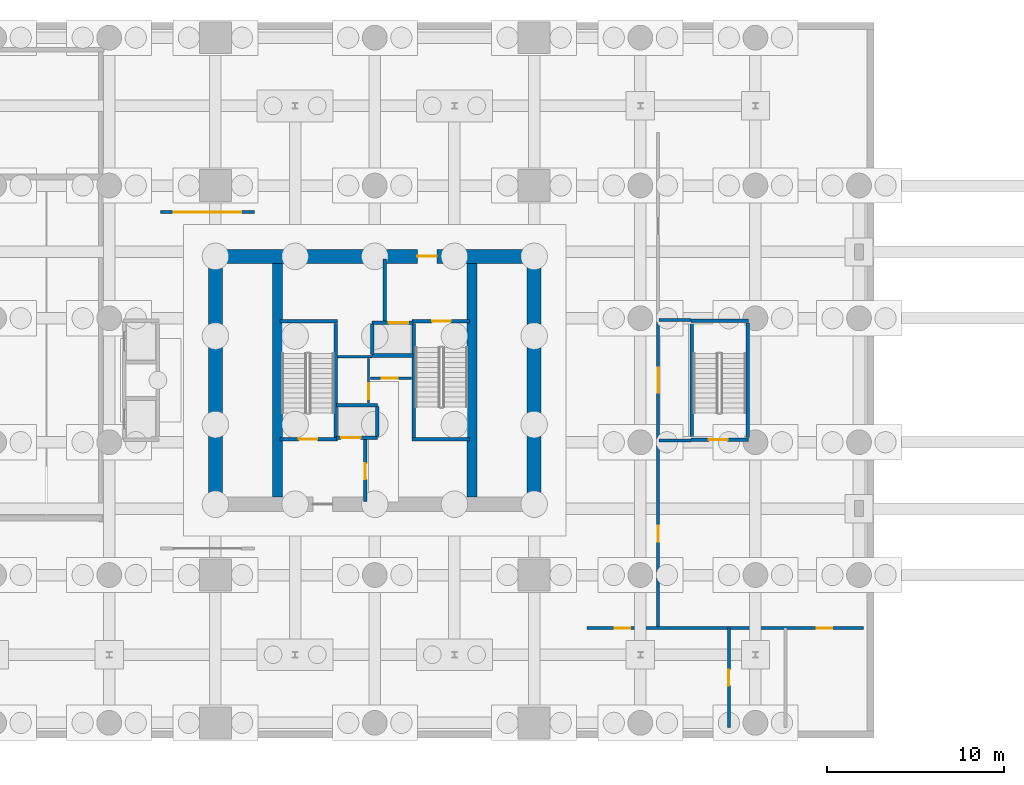
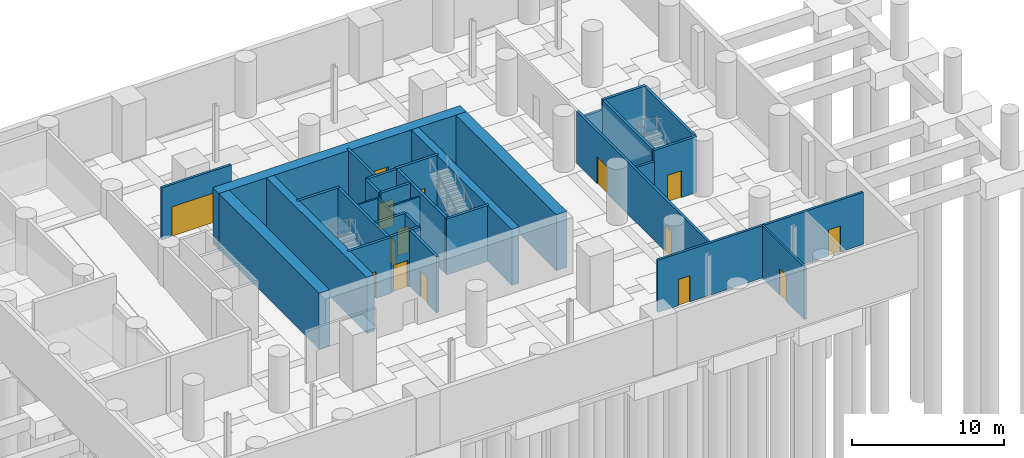
# One storey, part 9 of 12: 32 walls, 15 doors, 15 openings.
"""IFC4 building model written with IfcOpenShell, lengths in metres."""

from ifc_helpers import new_model, si_unit, direction, frame, frame_2d, origin, place, context, subcontext, project, spatial, rectangle, extrude, material, layer, layer_set, type_object, element, fill, save


model = new_model("IFC4")

# Units and contexts
model_context = context("Model", 3, precision=1e-05, world=origin(), true_north=direction((0.0, 1.0)))
body_context = subcontext(model_context, "Body", "Model", "MODEL_VIEW")
ifc_project = project(units=[si_unit("LENGTHUNIT", "METRE"), si_unit("AREAUNIT", "SQUARE_METRE"), si_unit("VOLUMEUNIT", "CUBIC_METRE"), si_unit("PLANEANGLEUNIT", "RADIAN"), si_unit("MASSUNIT", "GRAM", prefix="KILO")], contexts=[model_context])

# Site, building, storey
site_placement = place(None, origin())
site = spatial("IfcSite", under=ifc_project, at=site_placement, CompositionType="ELEMENT")
building_placement = place(site_placement, origin())
building = spatial("IfcBuilding", under=site, at=building_placement, Name="Veldorim Arch Residences", CompositionType="ELEMENT")
storey_placement = place(building_placement, frame((0.0, 0.0, -9.0)))
storey = spatial("IfcBuildingStorey", under=building, at=storey_placement, Name="B2", CompositionType="ELEMENT", Elevation=-9.0)

# Wall, opening, door
ifc_material_1 = material(Name="Acoustic Gypsum Board", Category="gypsum")
ifc_layer_1 = layer(ifc_material_1, 0.125, Name="Acoustic Stud Room Partition Wall 125")
ifc_layer_set_1 = layer_set([ifc_layer_1], Name="Acoustic Gypsum Board")
wall_type_1 = type_object("IfcWallType", Name="Acoustic Stud Room Partition Wall 125", PredefinedType="PARTITIONING", material=ifc_layer_set_1)
wall_1_placement = place(storey_placement, frame((31.64990234375, 22.719970703125, 0.0), z_axis=(0.0, 0.0, 1.0), x_axis=(0.0, 1.0, 0.0)))
wall_1 = element("IfcWall", 1, at=wall_1_placement, inside=storey, type_object=wall_type_1, Name="B2 interior wall WL-CA-B2-1", PredefinedType="PARTITIONING", context=body_context, shape_type="SweptSolid", body=[
    extrude(rectangle(XDim=2.52001953125, YDim=0.125, at=frame_2d((1.260009765625, 0.0))), origin(), (0.0, 0.0, 1.0), 4.195068359375),
])
opening_1_placement = place(wall_1_placement, frame((0.2099609375, 0.0, 0.0)))
opening_1 = element("IfcOpeningElement", 2, at=opening_1_placement, cuts=wall_1, Name="Opening DR-SVC", PredefinedType="OPENING", context=body_context, shape_type="SweptSolid", body=[
    extrude(rectangle(XDim=0.89990234375, YDim=2.10009765625, at=frame_2d((0.449951171875, 1.050048828125))), frame((0.0, 0.072509765625, 0.0), z_axis=(0.0, -1.0, 0.0), x_axis=(1.0, 0.0, 0.0)), (0.0, 0.0, 1.0), 0.14501953125),
])
ifc_material_2 = material(Name="Fire-Rated Steel", Category="steel")
door_type_1 = type_object("IfcDoorType", Name="Riser, Shelter & Plant Room Rated Steel Door 900x2100", OperationType="SINGLE_SWING_LEFT", PredefinedType="DOOR", material=ifc_material_2)
door_1_placement = place(opening_1_placement, origin())
door_1 = element("IfcDoor", 3, at=door_1_placement, inside=storey, type_object=door_type_1, Name="B2 interior door DR-B2-CA1", OperationType="SINGLE_SWING_LEFT", OverallHeight=2.10009765625, OverallWidth=0.89990234375, PredefinedType="DOOR", context=body_context, shape_type="SweptSolid", body=[
    extrude(rectangle(XDim=0.89990234375, YDim=2.10009765625, at=frame_2d((0.449951171875, 1.050048828125))), frame((0.0, 0.02490234375, 0.0), z_axis=(0.0, -1.0, 0.0), x_axis=(1.0, 0.0, 0.0)), (0.0, 0.0, 1.0), 0.050048828125),
])
fill(opening_1, door_1)

wall_2_placement = place(storey_placement, frame((31.760009765625, 24.1201171875, 0.0), z_axis=(0.0, 0.0, 1.0), x_axis=(1.0, 0.0, 0.0)))
wall_2 = element("IfcWall", 4, at=wall_2_placement, inside=storey, type_object=wall_type_1, Name="B2 interior wall WL-CA-B2-2", PredefinedType="PARTITIONING", context=body_context, shape_type="SweptSolid", body=[
    extrude(rectangle(XDim=2.320068359375, YDim=0.125, at=frame_2d((1.16015625, 0.0))), origin(), (0.0, 0.0, 1.0), 4.195068359375),
])
opening_2_placement = place(wall_2_placement, frame((0.639892578125, 0.0, 0.0)))
opening_2 = element("IfcOpeningElement", 5, at=opening_2_placement, cuts=wall_2, Name="Opening DR-SVC", PredefinedType="OPENING", context=body_context, shape_type="SweptSolid", body=[
    extrude(rectangle(XDim=0.89990234375, YDim=2.10009765625, at=frame_2d((0.449951171875, 1.050048828125))), frame((0.0, 0.072509765625, 0.0), z_axis=(0.0, -1.0, 0.0), x_axis=(1.0, 0.0, 0.0)), (0.0, 0.0, 1.0), 0.14501953125),
])
door_2_placement = place(opening_2_placement, origin())
door_2 = element("IfcDoor", 6, at=door_2_placement, inside=storey, type_object=door_type_1, Name="B2 interior door DR-B2-CA2", OperationType="SINGLE_SWING_RIGHT", OverallHeight=2.10009765625, OverallWidth=0.89990234375, PredefinedType="DOOR", context=body_context, shape_type="SweptSolid", body=[
    extrude(rectangle(XDim=0.89990234375, YDim=2.10009765625, at=frame_2d((0.449951171875, 1.050048828125))), frame((0.0, 0.02490234375, 0.0), z_axis=(0.0, -1.0, 0.0), x_axis=(1.0, 0.0, 0.0)), (0.0, 0.0, 1.0), 0.050048828125),
])
fill(opening_2, door_2)

# Wall
wall_3_placement = place(storey_placement, frame((29.889892578125, 25.330078125, 0.0), z_axis=(0.0, 0.0, 1.0), x_axis=(1.0, 0.0, 0.0)))
element("IfcWall", 7, at=wall_3_placement, inside=storey, type_object=wall_type_1, Name="B2 interior wall WL-CA-B2-N", PredefinedType="PARTITIONING", context=body_context, shape_type="SweptSolid", body=[
    extrude(rectangle(XDim=1.940185546875, YDim=0.125, at=frame_2d((0.97021484375, 0.0))), origin(), (0.0, 0.0, 1.0), 4.195068359375),
])

# Wall, opening, door
ifc_material_3 = material(Name="Lightweight Masonry Block & Gypsum", Category="masonry")
ifc_layer_2 = layer(ifc_material_3, 0.179931640625, Name="Compartment & Corridor Fire-Rated Party Wall 180")
ifc_layer_set_2 = layer_set([ifc_layer_2], Name="Lightweight Masonry Block & Gypsum")
wall_type_2 = type_object("IfcWallType", Name="Compartment & Corridor Fire-Rated Party Wall 180", PredefinedType="PARTITIONING", material=ifc_layer_set_2)
wall_4_placement = place(storey_placement, frame((19.89990234375, 33.5, 0.0), z_axis=(0.0, 0.0, 1.0), x_axis=(1.0, 0.0, 0.0)))
wall_4 = element("IfcWall", 8, at=wall_4_placement, inside=storey, type_object=wall_type_2, Name="B2 interior wall WL-BSM-GATE-B2-2", PredefinedType="PARTITIONING", context=body_context, shape_type="SweptSolid", body=[
    extrude(rectangle(XDim=5.300048828125, YDim=0.179931640625, at=frame_2d((2.64990234375, 0.0))), origin(), (0.0, 0.0, 1.0), 4.195068359375),
])
opening_3_placement = place(wall_4_placement, frame((0.75, 0.0, 0.0)))
opening_3 = element("IfcOpeningElement", 9, at=opening_3_placement, cuts=wall_4, Name="Opening VG-INT", PredefinedType="OPENING", context=body_context, shape_type="SweptSolid", body=[
    extrude(rectangle(XDim=3.800048828125, YDim=2.39990234375, at=frame_2d((1.89990234375, 1.199951171875))), frame((0.0, 0.099853515625, 0.0), z_axis=(0.0, -1.0, 0.0), x_axis=(1.0, 0.0, 0.0)), (0.0, 0.0, 1.0), 0.199951171875),
])
ifc_material_4 = material(Name="Galvanised Fire Steel", Category="steel")
door_type_2 = type_object("IfcDoorType", Name="Basement Zone Fire-Shutter Gate 3800x2400", OperationType="ROLLINGUP", PredefinedType="GATE", material=ifc_material_4)
door_3_placement = place(opening_3_placement, origin())
door_3 = element("IfcDoor", 10, at=door_3_placement, inside=storey, type_object=door_type_2, Name="B2 interior door VG-B2-02", OperationType="ROLLINGUP", OverallHeight=2.39990234375, OverallWidth=3.800048828125, PredefinedType="GATE", context=body_context, shape_type="SweptSolid", body=[
    extrude(rectangle(XDim=3.800048828125, YDim=2.39990234375, at=frame_2d((1.89990234375, 1.199951171875))), frame((0.0, 0.02490234375, 0.0), z_axis=(0.0, -1.0, 0.0), x_axis=(1.0, 0.0, 0.0)), (0.0, 0.0, 1.0), 0.050048828125),
])
fill(opening_3, door_3)

# Wall, openings, doors
wall_5_placement = place(storey_placement, frame((59.60009765625, 10.0, 0.0), z_axis=(0.0, 0.0, 1.0), x_axis=(-1.0, 0.0, 0.0)))
wall_5 = element("IfcWall", 11, at=wall_5_placement, inside=storey, type_object=wall_type_2, Name="B2 interior wall WL-BSM-B2-001", PredefinedType="PARTITIONING", context=body_context, shape_type="SweptSolid", body=[
    extrude(rectangle(XDim=15.6201171875, YDim=0.179931640625, at=frame_2d((7.81005859375, 0.0))), origin(), (0.0, 0.0, 1.0), 4.195068359375),
])
opening_4_placement = place(wall_5_placement, frame((13.159912109375, 0.0, 0.0)))
opening_4 = element("IfcOpeningElement", 12, at=opening_4_placement, cuts=wall_5, Name="Opening DR-SVC", PredefinedType="OPENING", context=body_context, shape_type="SweptSolid", body=[
    extrude(rectangle(XDim=0.89990234375, YDim=2.10009765625, at=frame_2d((0.449951171875, 1.050048828125))), frame((0.0, 0.099853515625, 0.0), z_axis=(0.0, -1.0, 0.0), x_axis=(1.0, 0.0, 0.0)), (0.0, 0.0, 1.0), 0.199951171875),
])
opening_5_placement = place(wall_5_placement, frame((1.75, 0.0, 0.0)))
opening_5 = element("IfcOpeningElement", 13, at=opening_5_placement, cuts=wall_5, Name="Opening DR-SVC", PredefinedType="OPENING", context=body_context, shape_type="SweptSolid", body=[
    extrude(rectangle(XDim=0.89990234375, YDim=2.10009765625, at=frame_2d((0.449951171875, 1.050048828125))), frame((0.0, 0.099853515625, 0.0), z_axis=(0.0, -1.0, 0.0), x_axis=(1.0, 0.0, 0.0)), (0.0, 0.0, 1.0), 0.199951171875),
])
door_4_placement = place(opening_4_placement, origin())
door_4 = element("IfcDoor", 14, at=door_4_placement, inside=storey, type_object=door_type_1, Name="B2 interior door DR-BSM-B2-001", OperationType="SINGLE_SWING_LEFT", OverallHeight=2.10009765625, OverallWidth=0.89990234375, PredefinedType="DOOR", context=body_context, shape_type="SweptSolid", body=[
    extrude(rectangle(XDim=0.89990234375, YDim=2.10009765625, at=frame_2d((0.449951171875, 1.050048828125))), frame((0.0, 0.02490234375, 0.0), z_axis=(0.0, -1.0, 0.0), x_axis=(1.0, 0.0, 0.0)), (0.0, 0.0, 1.0), 0.050048828125),
])
fill(opening_4, door_4)
door_5_placement = place(opening_5_placement, origin())
door_5 = element("IfcDoor", 15, at=door_5_placement, inside=storey, type_object=door_type_1, Name="B2 interior door DR-BSM-B2-003", OperationType="SINGLE_SWING_LEFT", OverallHeight=2.10009765625, OverallWidth=0.89990234375, PredefinedType="DOOR", context=body_context, shape_type="SweptSolid", body=[
    extrude(rectangle(XDim=0.89990234375, YDim=2.10009765625, at=frame_2d((0.449951171875, 1.050048828125))), frame((0.0, 0.02490234375, 0.0), z_axis=(0.0, -1.0, 0.0), x_axis=(1.0, 0.0, 0.0)), (0.0, 0.0, 1.0), 0.050048828125),
])
fill(opening_5, door_5)

wall_6_placement = place(storey_placement, frame((48.0, 27.419921875, 0.0), z_axis=(0.0, 0.0, 1.0), x_axis=(0.0, -1.0, 0.0)))
wall_6 = element("IfcWall", 16, at=wall_6_placement, inside=storey, type_object=wall_type_2, Name="B2 interior wall WL-BSM-B2-002", PredefinedType="PARTITIONING", context=body_context, shape_type="SweptSolid", body=[
    extrude(rectangle(XDim=17.35986328125, YDim=0.179931640625, at=frame_2d((8.679931640625, 0.0))), origin(), (0.0, 0.0, 1.0), 4.195068359375),
])
opening_6_placement = place(wall_6_placement, frame((11.6298828125, 0.0, 0.0)))
opening_6 = element("IfcOpeningElement", 17, at=opening_6_placement, cuts=wall_6, Name="Opening DR-SVC", PredefinedType="OPENING", context=body_context, shape_type="SweptSolid", body=[
    extrude(rectangle(XDim=0.89990234375, YDim=2.10009765625, at=frame_2d((0.449951171875, 1.050048828125))), frame((0.0, 0.099853515625, 0.0), z_axis=(0.0, -1.0, 0.0), x_axis=(1.0, 0.0, 0.0)), (0.0, 0.0, 1.0), 0.199951171875),
])
opening_7_placement = place(wall_6_placement, frame((2.719970703125, 0.0, 0.0)))
opening_7 = element("IfcOpeningElement", 18, at=opening_7_placement, cuts=wall_6, Name="Opening DR-LBY", PredefinedType="OPENING", context=body_context, shape_type="SweptSolid", body=[
    extrude(rectangle(XDim=1.39990234375, YDim=2.14990234375, at=frame_2d((0.699951171875, 1.074951171875))), frame((0.0, 0.099853515625, 0.0), z_axis=(0.0, -1.0, 0.0), x_axis=(1.0, 0.0, 0.0)), (0.0, 0.0, 1.0), 0.199951171875),
])
ifc_material_5 = material(Name="Aluminium & Fire Glass", Category="aluminium")
door_type_3 = type_object("IfcDoorType", Name="Lobby Double-Leaf Smoke-Control Door 1400x2150", OperationType="SINGLE_SWING_LEFT", PredefinedType="DOOR", material=ifc_material_5)
door_6_placement = place(opening_7_placement, origin())
door_6 = element("IfcDoor", 19, at=door_6_placement, inside=storey, type_object=door_type_3, Name="B2 interior door DR-BSM-B2-LBY-06", OperationType="DOUBLE_DOOR_SINGLE_SWING", OverallHeight=2.14990234375, OverallWidth=1.39990234375, PredefinedType="DOOR", context=body_context, shape_type="SweptSolid", body=[
    extrude(rectangle(XDim=1.39990234375, YDim=2.14990234375, at=frame_2d((0.699951171875, 1.074951171875))), frame((0.0, 0.02490234375, 0.0), z_axis=(0.0, -1.0, 0.0), x_axis=(1.0, 0.0, 0.0)), (0.0, 0.0, 1.0), 0.050048828125),
])
fill(opening_7, door_6)
door_7_placement = place(opening_6_placement, origin())
door_7 = element("IfcDoor", 20, at=door_7_placement, inside=storey, type_object=door_type_1, Name="B2 interior door DR-BSM-B2-004", OperationType="SINGLE_SWING_RIGHT", OverallHeight=2.10009765625, OverallWidth=0.89990234375, PredefinedType="DOOR", context=body_context, shape_type="SweptSolid", body=[
    extrude(rectangle(XDim=0.89990234375, YDim=2.10009765625, at=frame_2d((0.449951171875, 1.050048828125))), frame((0.0, 0.02490234375, 0.0), z_axis=(0.0, -1.0, 0.0), x_axis=(1.0, 0.0, 0.0)), (0.0, 0.0, 1.0), 0.050048828125),
])
fill(opening_6, door_7)

# Walls
for number, where, z_axis, x_axis, name in (
    (21, (48.06005859375, 20.60009765625, 0.0), (0.0, 0.0, 1.0), (1.0, 0.0, 0.0), "B2 interior wall WL-BSM-B2-006"),
    (22, (49.85009765625, 27.39990234375, 0.0), (0.0, 0.0, 1.0), (-1.0, 0.0, 0.0), "B2 interior wall WL-BSM-B2-007"),
):
    element("IfcWall", number, at=place(storey_placement, frame(where, z_axis=z_axis, x_axis=x_axis)), inside=storey, type_object=wall_type_2, Name=name, PredefinedType="PARTITIONING", context=body_context, shape_type="SweptSolid", body=[
        extrude(rectangle(XDim=1.7900390625, YDim=0.179931640625, at=frame_2d((0.89501953125, 0.0))), origin(), (0.0, 0.0, 1.0), 3.6435546875),
    ])
ifc_material_6 = material(Name="Concrete C50/60", Category="concrete")
ifc_layer_3 = layer(ifc_material_6, 0.199951171875, Name="Core Stair & Lift Shaft Enclosure Wall 200")
ifc_layer_set_3 = layer_set([ifc_layer_3], Name="Concrete C50/60")
wall_type_3 = type_object("IfcWallType", Name="Core Stair & Lift Shaft Enclosure Wall 200", PredefinedType="SHEAR", material=ifc_layer_set_3)
wall_7_placement = place(storey_placement, frame((29.7900390625, 20.780029296875, 0.0), z_axis=(0.0, 0.0, 1.0), x_axis=(0.0, 1.0, 0.0)))
element("IfcWall", 23, at=wall_7_placement, inside=storey, type_object=wall_type_3, Name="B2 shaft wall WL-SHF-B2-ST1-E", PredefinedType="SHEAR", context=body_context, shape_type="SweptSolid", body=[
    extrude(rectangle(XDim=6.43994140625, YDim=0.199951171875, at=frame_2d((3.219970703125, 0.0))), origin(), (0.0, 0.0, 1.0), 4.5),
])
wall_8_placement = place(storey_placement, frame((26.64990234375, 27.330078125, 0.0), z_axis=(0.0, 0.0, 1.0), x_axis=(1.0, 0.0, 0.0)))
element("IfcWall", 24, at=wall_8_placement, inside=storey, type_object=wall_type_3, Name="B2 shaft wall WL-SHF-B2-ST1-N", PredefinedType="SHEAR", context=body_context, shape_type="SweptSolid", body=[
    extrude(rectangle(XDim=3.239990234375, YDim=0.199951171875, at=frame_2d((1.6201171875, 0.0))), origin(), (0.0, 0.0, 1.0), 4.5),
])

# Wall, opening, door
wall_9_placement = place(storey_placement, frame((26.64990234375, 20.669921875, 0.0), z_axis=(0.0, 0.0, 1.0), x_axis=(1.0, 0.0, 0.0)))
wall_9 = element("IfcWall", 25, at=wall_9_placement, inside=storey, type_object=wall_type_3, Name="B2 shaft wall WL-SHF-B2-ST1-S", PredefinedType="SHEAR", context=body_context, shape_type="SweptSolid", body=[
    extrude(rectangle(XDim=3.239990234375, YDim=0.199951171875, at=frame_2d((1.6201171875, 0.0))), origin(), (0.0, 0.0, 1.0), 4.5),
])
opening_8_placement = place(wall_9_placement, frame((1.054931640625, 0.0, 0.0)))
opening_8 = element("IfcOpeningElement", 26, at=opening_8_placement, cuts=wall_9, Name="Opening DR-ST", PredefinedType="OPENING", context=body_context, shape_type="SweptSolid", body=[
    extrude(rectangle(XDim=1.050048828125, YDim=2.14990234375, at=frame_2d((0.52490234375, 1.074951171875))), frame((0.0, 0.10986328125, 0.0), z_axis=(0.0, -1.0, 0.0), x_axis=(1.0, 0.0, 0.0)), (0.0, 0.0, 1.0), 0.219970703125),
])
ifc_material_7 = material(Name="Fire-Rated Steel", Category="steel")
door_type_4 = type_object("IfcDoorType", Name="Exit Staircase Self-Closing Fire Door 1050x2150", OperationType="SINGLE_SWING_LEFT", PredefinedType="DOOR", material=ifc_material_7)
door_8_placement = place(opening_8_placement, origin())
door_8 = element("IfcDoor", 27, at=door_8_placement, inside=storey, type_object=door_type_4, Name="B2 interior door DR-B2-ST1", OperationType="SINGLE_SWING_LEFT", OverallHeight=2.14990234375, OverallWidth=1.050048828125, PredefinedType="DOOR", context=body_context, shape_type="SweptSolid", body=[
    extrude(rectangle(XDim=1.050048828125, YDim=2.14990234375, at=frame_2d((0.52490234375, 1.074951171875))), frame((0.0, 0.02490234375, 0.0), z_axis=(0.0, -1.0, 0.0), x_axis=(1.0, 0.0, 0.0)), (0.0, 0.0, 1.0), 0.050048828125),
])
fill(opening_8, door_8)

# Walls
wall_10_placement = place(storey_placement, frame((34.2099609375, 20.780029296875, 0.0), z_axis=(0.0, 0.0, 1.0), x_axis=(0.0, 1.0, 0.0)))
element("IfcWall", 28, at=wall_10_placement, inside=storey, type_object=wall_type_3, Name="B2 shaft wall WL-SHF-B2-ST2-W", PredefinedType="SHEAR", context=body_context, shape_type="SweptSolid", body=[
    extrude(rectangle(XDim=6.43994140625, YDim=0.199951171875, at=frame_2d((3.219970703125, 0.0))), origin(), (0.0, 0.0, 1.0), 4.5),
])
wall_11_placement = place(storey_placement, frame((34.110107421875, 20.669921875, 0.0), z_axis=(0.0, 0.0, 1.0), x_axis=(1.0, 0.0, 0.0)))
element("IfcWall", 29, at=wall_11_placement, inside=storey, type_object=wall_type_3, Name="B2 shaft wall WL-SHF-B2-ST2-S", PredefinedType="SHEAR", context=body_context, shape_type="SweptSolid", body=[
    extrude(rectangle(XDim=3.239990234375, YDim=0.199951171875, at=frame_2d((1.6201171875, 0.0))), origin(), (0.0, 0.0, 1.0), 4.5),
])

# Wall, opening, door
wall_12_placement = place(storey_placement, frame((34.110107421875, 27.330078125, 0.0), z_axis=(0.0, 0.0, 1.0), x_axis=(1.0, 0.0, 0.0)))
wall_12 = element("IfcWall", 30, at=wall_12_placement, inside=storey, type_object=wall_type_3, Name="B2 shaft wall WL-SHF-B2-ST2-N", PredefinedType="SHEAR", context=body_context, shape_type="SweptSolid", body=[
    extrude(rectangle(XDim=3.239990234375, YDim=0.199951171875, at=frame_2d((1.6201171875, 0.0))), origin(), (0.0, 0.0, 1.0), 4.5),
])
opening_9_placement = place(wall_12_placement, frame((1.135009765625, 0.0, 0.0)))
opening_9 = element("IfcOpeningElement", 31, at=opening_9_placement, cuts=wall_12, Name="Opening DR-ST", PredefinedType="OPENING", context=body_context, shape_type="SweptSolid", body=[
    extrude(rectangle(XDim=1.050048828125, YDim=2.14990234375, at=frame_2d((0.52490234375, 1.074951171875))), frame((0.0, 0.10986328125, 0.0), z_axis=(0.0, -1.0, 0.0), x_axis=(1.0, 0.0, 0.0)), (0.0, 0.0, 1.0), 0.219970703125),
])
door_9_placement = place(opening_9_placement, origin())
door_9 = element("IfcDoor", 32, at=door_9_placement, inside=storey, type_object=door_type_4, Name="B2 interior door DR-B2-ST2", OperationType="SINGLE_SWING_RIGHT", OverallHeight=2.14990234375, OverallWidth=1.050048828125, PredefinedType="DOOR", context=body_context, shape_type="SweptSolid", body=[
    extrude(rectangle(XDim=1.050048828125, YDim=2.14990234375, at=frame_2d((0.52490234375, 1.074951171875))), frame((0.0, 0.02490234375, 0.0), z_axis=(0.0, -1.0, 0.0), x_axis=(1.0, 0.0, 0.0)), (0.0, 0.0, 1.0), 0.050048828125),
])
fill(opening_9, door_9)

wall_13_placement = place(storey_placement, frame((31.449951171875, 17.14990234375, 0.0), z_axis=(0.0, 0.0, 1.0), x_axis=(0.0, 1.0, 0.0)))
wall_13 = element("IfcWall", 33, at=wall_13_placement, inside=storey, type_object=wall_type_3, Name="B2 shaft wall WL-FFL1-B2-E", PredefinedType="SHEAR", context=body_context, shape_type="SweptSolid", body=[
    extrude(rectangle(XDim=3.5, YDim=0.199951171875, at=frame_2d((1.75, 0.0))), origin(), (0.0, 0.0, 1.0), 4.5),
])
opening_10_placement = place(wall_13_placement, frame((1.25, 0.0, 0.0)))
opening_10 = element("IfcOpeningElement", 34, at=opening_10_placement, cuts=wall_13, Name="Opening DR-SVC", PredefinedType="OPENING", context=body_context, shape_type="SweptSolid", body=[
    extrude(rectangle(XDim=0.89990234375, YDim=2.10009765625, at=frame_2d((0.449951171875, 1.050048828125))), frame((0.0, 0.10986328125, 0.0), z_axis=(0.0, -1.0, 0.0), x_axis=(1.0, 0.0, 0.0)), (0.0, 0.0, 1.0), 0.219970703125),
])
door_10_placement = place(opening_10_placement, origin())
door_10 = element("IfcDoor", 35, at=door_10_placement, inside=storey, type_object=door_type_1, Name="B2 interior door DR-B2-COR-ANC", OperationType="SINGLE_SWING_LEFT", OverallHeight=2.10009765625, OverallWidth=0.89990234375, PredefinedType="DOOR", context=body_context, shape_type="SweptSolid", body=[
    extrude(rectangle(XDim=0.89990234375, YDim=2.10009765625, at=frame_2d((0.449951171875, 1.050048828125))), frame((0.0, 0.02490234375, 0.0), z_axis=(0.0, -1.0, 0.0), x_axis=(1.0, 0.0, 0.0)), (0.0, 0.0, 1.0), 0.050048828125),
])
fill(opening_10, door_10)

# Wall
wall_14_placement = place(storey_placement, frame((32.550048828125, 27.35009765625, 0.0), z_axis=(0.0, 0.0, 1.0), x_axis=(0.0, 1.0, 0.0)))
element("IfcWall", 36, at=wall_14_placement, inside=storey, type_object=wall_type_3, Name="B2 shaft wall WL-FFL2-B2-W", PredefinedType="SHEAR", context=body_context, shape_type="SweptSolid", body=[
    extrude(rectangle(XDim=3.5, YDim=0.199951171875, at=frame_2d((1.75, 0.0))), origin(), (0.0, 0.0, 1.0), 4.5),
])

# Wall, opening, door
wall_15_placement = place(storey_placement, frame((29.85009765625, 20.75, 0.0), z_axis=(0.0, 0.0, 1.0), x_axis=(1.0, 0.0, 0.0)))
wall_15 = element("IfcWall", 37, at=wall_15_placement, inside=storey, type_object=wall_type_3, Name="B2 shaft wall WL-FL01-B2-S", PredefinedType="SHEAR", context=body_context, shape_type="SweptSolid", body=[
    extrude(rectangle(XDim=2.2998046875, YDim=0.199951171875, at=frame_2d((1.14990234375, 0.0))), origin(), (0.0, 0.0, 1.0), 4.5),
])
opening_11_placement = place(wall_15_placement, frame((0.25, 0.0, 0.0)))
opening_11 = element("IfcOpeningElement", 38, at=opening_11_placement, cuts=wall_15, Name="Opening LD-FF", PredefinedType="OPENING", context=body_context, shape_type="SweptSolid", body=[
    extrude(rectangle(XDim=1.10009765625, YDim=2.14990234375, at=frame_2d((0.550048828125, 1.074951171875))), frame((0.0, 0.10986328125, 0.0), z_axis=(0.0, -1.0, 0.0), x_axis=(1.0, 0.0, 0.0)), (0.0, 0.0, 1.0), 0.219970703125),
])
ifc_material_8 = material(Name="Stainless Steel", Category="steel")
door_type_5 = type_object("IfcDoorType", Name="Firefighting Lift Bi-Parting Sliding Landing Door 1100x2150", OperationType="DOUBLE_DOOR_SLIDING", PredefinedType="DOOR", material=ifc_material_8)
door_11_placement = place(opening_11_placement, origin())
door_11 = element("IfcDoor", 39, at=door_11_placement, inside=storey, type_object=door_type_5, Name="B2 lift landing door LD-B2-FL01", OperationType="DOUBLE_DOOR_SLIDING", OverallHeight=2.14990234375, OverallWidth=1.10009765625, PredefinedType="DOOR", context=body_context, shape_type="SweptSolid", body=[
    extrude(rectangle(XDim=1.10009765625, YDim=2.14990234375, at=frame_2d((0.550048828125, 1.074951171875))), frame((0.0, 0.02490234375, 0.0), z_axis=(0.0, -1.0, 0.0), x_axis=(1.0, 0.0, 0.0)), (0.0, 0.0, 1.0), 0.050048828125),
])
fill(opening_11, door_11)

# Walls
wall_16_placement = place(storey_placement, frame((29.85009765625, 22.60009765625, 0.0), z_axis=(0.0, 0.0, 1.0), x_axis=(1.0, 0.0, 0.0)))
element("IfcWall", 40, at=wall_16_placement, inside=storey, type_object=wall_type_3, Name="B2 shaft wall WL-FL01-B2-N", PredefinedType="SHEAR", context=body_context, shape_type="SweptSolid", body=[
    extrude(rectangle(XDim=2.2998046875, YDim=0.199951171875, at=frame_2d((1.14990234375, 0.0))), origin(), (0.0, 0.0, 1.0), 4.5),
])
wall_17_placement = place(storey_placement, frame((32.14990234375, 20.820068359375, 0.0), z_axis=(0.0, 0.0, 1.0), x_axis=(0.0, 1.0, 0.0)))
element("IfcWall", 41, at=wall_17_placement, inside=storey, type_object=wall_type_3, Name="B2 shaft wall WL-FL01-B2-E", PredefinedType="SHEAR", context=body_context, shape_type="SweptSolid", body=[
    extrude(rectangle(XDim=1.7099609375, YDim=0.199951171875, at=frame_2d((0.85498046875, 0.0))), origin(), (0.0, 0.0, 1.0), 4.5),
])

# Wall, opening, door
wall_18_placement = place(storey_placement, frame((31.85009765625, 27.25, 0.0), z_axis=(0.0, 0.0, 1.0), x_axis=(1.0, 0.0, 0.0)))
wall_18 = element("IfcWall", 42, at=wall_18_placement, inside=storey, type_object=wall_type_3, Name="B2 shaft wall WL-FL02-B2-N", PredefinedType="SHEAR", context=body_context, shape_type="SweptSolid", body=[
    extrude(rectangle(XDim=2.2998046875, YDim=0.199951171875, at=frame_2d((1.14990234375, 0.0))), origin(), (0.0, 0.0, 1.0), 4.5),
])
opening_12_placement = place(wall_18_placement, frame((0.949951171875, 0.0, 0.0)))
opening_12 = element("IfcOpeningElement", 43, at=opening_12_placement, cuts=wall_18, Name="Opening LD-FF", PredefinedType="OPENING", context=body_context, shape_type="SweptSolid", body=[
    extrude(rectangle(XDim=1.10009765625, YDim=2.14990234375, at=frame_2d((0.550048828125, 1.074951171875))), frame((0.0, 0.10986328125, 0.0), z_axis=(0.0, -1.0, 0.0), x_axis=(1.0, 0.0, 0.0)), (0.0, 0.0, 1.0), 0.219970703125),
])
door_12_placement = place(opening_12_placement, origin())
door_12 = element("IfcDoor", 44, at=door_12_placement, inside=storey, type_object=door_type_5, Name="B2 lift landing door LD-B2-FL02", OperationType="DOUBLE_DOOR_SLIDING", OverallHeight=2.14990234375, OverallWidth=1.10009765625, PredefinedType="DOOR", context=body_context, shape_type="SweptSolid", body=[
    extrude(rectangle(XDim=1.10009765625, YDim=2.14990234375, at=frame_2d((0.550048828125, 1.074951171875))), frame((0.0, 0.02490234375, 0.0), z_axis=(0.0, -1.0, 0.0), x_axis=(1.0, 0.0, 0.0)), (0.0, 0.0, 1.0), 0.050048828125),
])
fill(opening_12, door_12)

# Walls
wall_19_placement = place(storey_placement, frame((31.85009765625, 25.39990234375, 0.0), z_axis=(0.0, 0.0, 1.0), x_axis=(1.0, 0.0, 0.0)))
element("IfcWall", 45, at=wall_19_placement, inside=storey, type_object=wall_type_3, Name="B2 shaft wall WL-FL02-B2-S", PredefinedType="SHEAR", context=body_context, shape_type="SweptSolid", body=[
    extrude(rectangle(XDim=2.2998046875, YDim=0.199951171875, at=frame_2d((1.14990234375, 0.0))), origin(), (0.0, 0.0, 1.0), 4.5),
])
wall_20_placement = place(storey_placement, frame((31.85009765625, 25.469970703125, 0.0), z_axis=(0.0, 0.0, 1.0), x_axis=(0.0, 1.0, 0.0)))
element("IfcWall", 46, at=wall_20_placement, inside=storey, type_object=wall_type_3, Name="B2 shaft wall WL-FL02-B2-W", PredefinedType="SHEAR", context=body_context, shape_type="SweptSolid", body=[
    extrude(rectangle(XDim=1.7099609375, YDim=0.199951171875, at=frame_2d((0.85498046875, 0.0))), origin(), (0.0, 0.0, 1.0), 4.5),
])
for number, where, z_axis, x_axis, name in (
    (47, (49.89990234375, 20.760009765625, 0.0), (0.0, 0.0, 1.0), (0.0, 1.0, 0.0), "B2 shaft wall WL-SHF-B2-ST3-W"),
    (48, (53.06005859375, 20.760009765625, 0.0), (0.0, 0.0, 1.0), (0.0, 1.0, 0.0), "B2 shaft wall WL-SHF-B2-ST3-E"),
):
    element("IfcWall", number, at=place(storey_placement, frame(where, z_axis=z_axis, x_axis=x_axis)), inside=storey, type_object=wall_type_3, Name=name, PredefinedType="SHEAR", context=body_context, shape_type="SweptSolid", body=[
        extrude(rectangle(XDim=6.47998046875, YDim=0.199951171875, at=frame_2d((3.239990234375, 0.0))), origin(), (0.0, 0.0, 1.0), 4.5),
    ])

# Wall, opening, door
wall_21_placement = place(storey_placement, frame((49.85009765625, 20.64990234375, 0.0), z_axis=(0.0, 0.0, 1.0), x_axis=(1.0, 0.0, 0.0)))
wall_21 = element("IfcWall", 49, at=wall_21_placement, inside=storey, type_object=wall_type_3, Name="B2 shaft wall WL-SHF-B2-ST3-S", PredefinedType="SHEAR", context=body_context, shape_type="SweptSolid", body=[
    extrude(rectangle(XDim=3.260009765625, YDim=0.199951171875, at=frame_2d((1.6298828125, 0.0))), origin(), (0.0, 0.0, 1.0), 4.5),
])
opening_13_placement = place(wall_21_placement, frame((1.02490234375, 0.0, 0.0)))
opening_13 = element("IfcOpeningElement", 50, at=opening_13_placement, cuts=wall_21, Name="Opening DR-ST", PredefinedType="OPENING", context=body_context, shape_type="SweptSolid", body=[
    extrude(rectangle(XDim=1.050048828125, YDim=2.14990234375, at=frame_2d((0.52490234375, 1.074951171875))), frame((0.0, 0.10986328125, 0.0), z_axis=(0.0, -1.0, 0.0), x_axis=(1.0, 0.0, 0.0)), (0.0, 0.0, 1.0), 0.219970703125),
])
door_13_placement = place(opening_13_placement, origin())
door_13 = element("IfcDoor", 51, at=door_13_placement, inside=storey, type_object=door_type_4, Name="B2 interior door DR-B2-ST3", OperationType="SINGLE_SWING_LEFT", OverallHeight=2.14990234375, OverallWidth=1.050048828125, PredefinedType="DOOR", context=body_context, shape_type="SweptSolid", body=[
    extrude(rectangle(XDim=1.050048828125, YDim=2.14990234375, at=frame_2d((0.52490234375, 1.074951171875))), frame((0.0, 0.02490234375, 0.0), z_axis=(0.0, -1.0, 0.0), x_axis=(1.0, 0.0, 0.0)), (0.0, 0.0, 1.0), 0.050048828125),
])
fill(opening_13, door_13)

# Walls
wall_22_placement = place(storey_placement, frame((49.85009765625, 27.35009765625, 0.0), z_axis=(0.0, 0.0, 1.0), x_axis=(1.0, 0.0, 0.0)))
element("IfcWall", 52, at=wall_22_placement, inside=storey, type_object=wall_type_3, Name="B2 shaft wall WL-SHF-B2-ST3-N", PredefinedType="SHEAR", context=body_context, shape_type="SweptSolid", body=[
    extrude(rectangle(XDim=3.260009765625, YDim=0.199951171875, at=frame_2d((1.6298828125, 0.0))), origin(), (0.0, 0.0, 1.0), 4.5),
])
ifc_material_9 = material(Name="Concrete C60/75", Category="concrete")
ifc_layer_4 = layer(ifc_material_9, 0.56005859375, Name="Internal Core Shear Web Wall 560")
ifc_layer_set_4 = layer_set([ifc_layer_4], Name="Concrete C60/75")
wall_type_4 = type_object("IfcWallType", Name="Internal Core Shear Web Wall 560", PredefinedType="SHEAR", material=ifc_layer_set_4)
for number, where, z_axis, x_axis, name in (
    (53, (26.5, 17.39990234375, 0.0), (0.0, 0.0, 1.0), (0.0, 1.0, 0.0), "B2 core west internal shear web"),
    (54, (37.5, 17.39990234375, 0.0), (0.0, 0.0, 1.0), (0.0, 1.0, 0.0), "B2 core east internal shear web"),
):
    element("IfcWall", number, at=place(storey_placement, frame(where, z_axis=z_axis, x_axis=x_axis)), inside=storey, type_object=wall_type_4, Name=name, PredefinedType="SHEAR", context=body_context, shape_type="SweptSolid", body=[
        extrude(rectangle(XDim=13.2001953125, YDim=0.56005859375, at=frame_2d((6.60009765625, 0.0))), origin(), (0.0, 0.0, 1.0), 4.5),
    ])

# Wall, opening, door
ifc_material_10 = material(Name="Concrete C60/75", Category="concrete")
ifc_layer_5 = layer(ifc_material_10, 0.800048828125, Name="Lower Central Core Shear Wall 800")
ifc_layer_set_5 = layer_set([ifc_layer_5], Name="Concrete C60/75")
wall_type_5 = type_object("IfcWallType", Name="Lower Central Core Shear Wall 800", PredefinedType="SHEAR", material=ifc_layer_set_5)
wall_23_placement = place(storey_placement, frame((22.60009765625, 31.0, 0.0), z_axis=(0.0, 0.0, 1.0), x_axis=(1.0, 0.0, 0.0)))
wall_23 = element("IfcWall", 55, at=wall_23_placement, inside=storey, type_object=wall_type_5, Name="B2 central core north shear wall", PredefinedType="SHEAR", context=body_context, shape_type="SweptSolid", body=[
    extrude(rectangle(XDim=18.7998046875, YDim=0.800048828125, at=frame_2d((9.39990234375, 0.0))), origin(), (0.0, 0.0, 1.0), 4.5),
])
opening_14_placement = place(wall_23_placement, frame((11.800048828125, 0.0, 0.0)))
opening_14 = element("IfcOpeningElement", 56, at=opening_14_placement, cuts=wall_23, Name="Opening DR-FFL", PredefinedType="OPENING", context=body_context, shape_type="SweptSolid", body=[
    extrude(rectangle(XDim=1.10009765625, YDim=2.14990234375, at=frame_2d((0.550048828125, 1.074951171875))), frame((0.0, 0.409912109375, 0.0), z_axis=(0.0, -1.0, 0.0), x_axis=(1.0, 0.0, 0.0)), (0.0, 0.0, 1.0), 0.820068359375),
])
ifc_material_11 = material(Name="Fire-Rated Steel & Vision Glass", Category="steel")
door_type_6 = type_object("IfcDoorType", Name="Firefighting Lobby Smoke-Stop Fire Door 1100x2150", OperationType="SINGLE_SWING_LEFT", PredefinedType="DOOR", material=ifc_material_11)
door_14_placement = place(opening_14_placement, origin())
door_14 = element("IfcDoor", 57, at=door_14_placement, inside=storey, type_object=door_type_6, Name="B2 interior door DR-B2-FFL2", OperationType="SINGLE_SWING_LEFT", OverallHeight=2.14990234375, OverallWidth=1.10009765625, PredefinedType="DOOR", context=body_context, shape_type="SweptSolid", body=[
    extrude(rectangle(XDim=1.10009765625, YDim=2.14990234375, at=frame_2d((0.550048828125, 1.074951171875))), frame((0.0, 0.02490234375, 0.0), z_axis=(0.0, -1.0, 0.0), x_axis=(1.0, 0.0, 0.0)), (0.0, 0.0, 1.0), 0.050048828125),
])
fill(opening_14, door_14)

# Walls
for number, where, z_axis, x_axis, name in (
    (58, (23.0, 17.39990234375, 0.0), (0.0, 0.0, 1.0), (0.0, 1.0, 0.0), "B2 central core west shear wall"),
    (59, (41.0, 17.39990234375, 0.0), (0.0, 0.0, 1.0), (0.0, 1.0, 0.0), "B2 central core east shear wall"),
):
    element("IfcWall", number, at=place(storey_placement, frame(where, z_axis=z_axis, x_axis=x_axis)), inside=storey, type_object=wall_type_5, Name=name, PredefinedType="SHEAR", context=body_context, shape_type="SweptSolid", body=[
        extrude(rectangle(XDim=13.2001953125, YDim=0.800048828125, at=frame_2d((6.60009765625, 0.0))), origin(), (0.0, 0.0, 1.0), 4.5),
    ])

# Wall, opening, door
ifc_material_12 = material(Name="Moisture-Resistant Gypsum & Stud", Category="gypsum")
ifc_layer_6 = layer(ifc_material_12, 0.159912109375, Name="Wet-Area Moisture-Resistant Plumbing Wall 160")
ifc_layer_set_6 = layer_set([ifc_layer_6], Name="Moisture-Resistant Gypsum & Stud")
wall_type_6 = type_object("IfcWallType", Name="Wet-Area Moisture-Resistant Plumbing Wall 160", PredefinedType="PLUMBINGWALL", material=ifc_layer_set_6)
wall_24_placement = place(storey_placement, frame((52.0, 10.0, 0.0), z_axis=(0.0, 0.0, 1.0), x_axis=(0.0, -1.0, 0.0)))
wall_24 = element("IfcWall", 60, at=wall_24_placement, inside=storey, type_object=wall_type_6, Name="B2 interior wall WL-BSM-B2-004", PredefinedType="PLUMBINGWALL", context=body_context, shape_type="SweptSolid", body=[
    extrude(rectangle(XDim=5.60009765625, YDim=0.159912109375, at=frame_2d((2.800048828125, 0.0))), origin(), (0.0, 0.0, 1.0), 4.195068359375),
])
opening_15_placement = place(wall_24_placement, frame((2.35009765625, 0.0, 0.0)))
opening_15 = element("IfcOpeningElement", 61, at=opening_15_placement, cuts=wall_24, Name="Opening DR-WC", PredefinedType="OPENING", context=body_context, shape_type="SweptSolid", body=[
    extrude(rectangle(XDim=0.89990234375, YDim=2.10009765625, at=frame_2d((0.449951171875, 1.050048828125))), frame((0.0, 0.08984375, 0.0), z_axis=(0.0, -1.0, 0.0), x_axis=(1.0, 0.0, 0.0)), (0.0, 0.0, 1.0), 0.179931640625),
])
ifc_material_13 = material(Name="Laminate Timber", Category="wood")
door_type_7 = type_object("IfcDoorType", Name="Bathroom & Accessible WC Moisture-Sealed Door 900x2100", OperationType="SINGLE_SWING_LEFT", PredefinedType="DOOR", material=ifc_material_13)
door_15_placement = place(opening_15_placement, origin())
door_15 = element("IfcDoor", 62, at=door_15_placement, inside=storey, type_object=door_type_7, Name="B2 interior door DR-BSM-B2-002", OperationType="SINGLE_SWING_RIGHT", OverallHeight=2.10009765625, OverallWidth=0.89990234375, PredefinedType="DOOR", context=body_context, shape_type="SweptSolid", body=[
    extrude(rectangle(XDim=0.89990234375, YDim=2.10009765625, at=frame_2d((0.449951171875, 1.050048828125))), frame((0.0, 0.02490234375, 0.0), z_axis=(0.0, -1.0, 0.0), x_axis=(1.0, 0.0, 0.0)), (0.0, 0.0, 1.0), 0.050048828125),
])
fill(opening_15, door_15)

save(model, "model.ifc")
